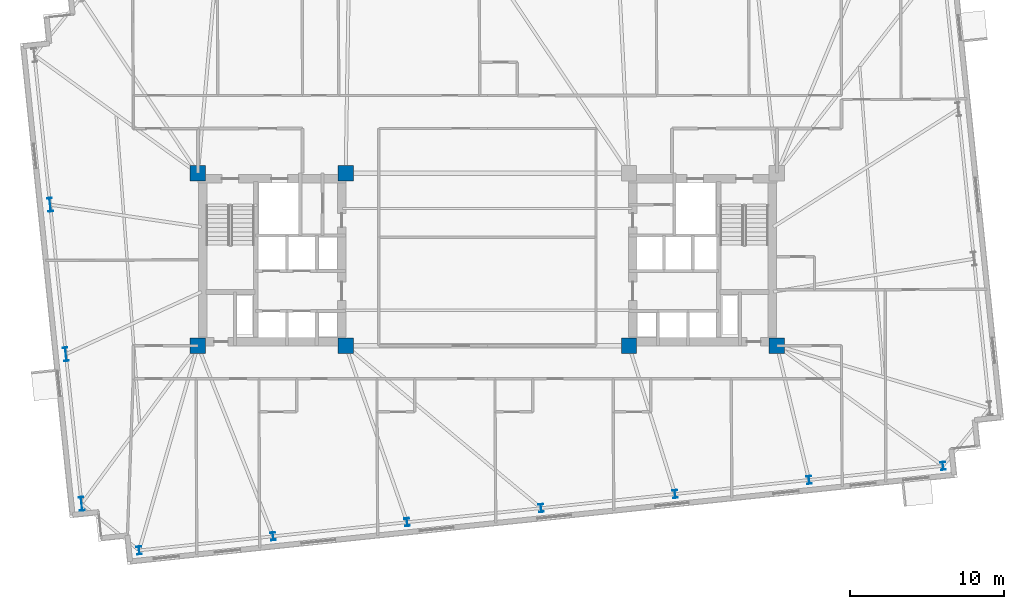
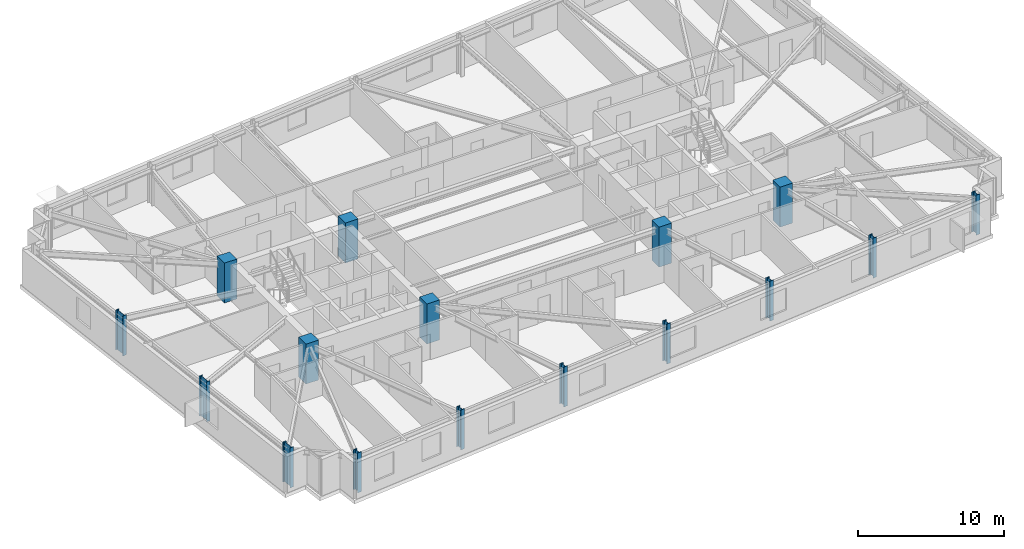
# One storey, part 1 of 18: 16 columns.
"""IFC4 building model written with IfcOpenShell, lengths in metres."""

from ifc_helpers import new_model, si_unit, direction, frame, origin, origin_2d, place, context, subcontext, project, spatial, rectangle, i_section, extrude, material, material_profile, profile_set, type_object, element, save


model = new_model("IFC4")

# Units and contexts
model_context = context("Model", 3, precision=1e-05, world=origin(), true_north=direction((0.0, 1.0)))
body_context = subcontext(model_context, "Body", "Model", "MODEL_VIEW")
ifc_project = project(units=[si_unit("LENGTHUNIT", "METRE"), si_unit("AREAUNIT", "SQUARE_METRE"), si_unit("VOLUMEUNIT", "CUBIC_METRE"), si_unit("PLANEANGLEUNIT", "RADIAN"), si_unit("MASSUNIT", "GRAM", prefix="KILO")], contexts=[model_context])

# Site, building, storey
site_placement = place(None, origin())
site = spatial("IfcSite", under=ifc_project, at=site_placement, CompositionType="ELEMENT")
building_placement = place(site_placement, origin())
building = spatial("IfcBuilding", under=site, at=building_placement, Name="Qobustan Lattice House", CompositionType="ELEMENT")
storey_placement = place(building_placement, frame((0.0, 0.0, 92.39990234375)))
storey = spatial("IfcBuildingStorey", under=building, at=storey_placement, Name="L25", CompositionType="ELEMENT", Elevation=92.39990234375)

# Columns
ifc_material_1 = material(Name="Concrete C60/75", Category="concrete")
ifc_material_profile_1 = material_profile(ifc_material_1, rectangle(XDim=1.0, YDim=1.0, at=origin_2d()), Name="RC1000x1000")
ifc_profile_set_1 = profile_set([ifc_material_profile_1], Name="Concrete C60/75")
column_type_1 = type_object("IfcColumnType", Name="COL-RC-1000", PredefinedType="COLUMN", material=ifc_profile_set_1)
for number, where, z_axis, x_axis, name in (
    (1, (-18.800048828125, -5.60009765625, 0.0), (0.0, 0.0, 1.0), (1.0, 0.0, 0.0), "L25 core mega-column CW-SW"),
    (2, (-18.800048828125, 5.60009765625, 0.0), (0.0, 0.0, 1.0), (1.0, 0.0, 0.0), "L25 core mega-column CW-NW"),
    (3, (-9.199951171875, -5.60009765625, 0.0), (0.0, 0.0, 1.0), (1.0, 0.0, 0.0), "L25 core mega-column CW-SE"),
    (4, (-9.199951171875, 5.60009765625, 0.0), (0.0, 0.0, 1.0), (1.0, 0.0, 0.0), "L25 core mega-column CW-NE"),
    (5, (9.199951171875, -5.60009765625, 0.0), (0.0, 0.0, 1.0), (1.0, 0.0, 0.0), "L25 core mega-column CE-SW"),
    (6, (18.800048828125, -5.60009765625, 0.0), (0.0, 0.0, 1.0), (1.0, 0.0, 0.0), "L25 core mega-column CE-SE"),
):
    element("IfcColumn", number, at=place(storey_placement, frame(where, z_axis=z_axis, x_axis=x_axis)), inside=storey, type_object=column_type_1, Name=name, PredefinedType="COLUMN", context=body_context, shape_type="SweptSolid", body=[
        extrude(rectangle(XDim=1.0, YDim=1.0, at=origin_2d()), origin(), (0.0, 0.0, 1.0), 3.35009765625),
    ])
ifc_material_2 = material(Name="Steel S355", Category="steel")
ifc_material_profile_2 = material_profile(ifc_material_2, i_section(OverallWidth=0.300048828125, OverallDepth=0.89990234375, WebThickness=0.0185546875, FlangeThickness=0.034912109375, FilletRadius=0.030029296875, at=origin_2d()), Name="HEB900")
ifc_profile_set_2 = profile_set([ifc_material_profile_2], Name="Steel S355")
column_type_2 = type_object("IfcColumnType", Name="COL-ST-HEB900", PredefinedType="COLUMN", material=ifc_profile_set_2)
for number, where, z_axis, x_axis, name in (
    (7, (-28.39794921875, 3.557373046875, 0.0), (0.0, 0.0, 1.0), (0.994521895368, 0.104528463268, 0.0), "L25 B2 perimeter column W2"),
    (8, (-27.377197265625, -6.156005859375, 0.0), (0.0, 0.0, 1.0), (0.994521895368, 0.104528463268, 0.0), "L25 B2 perimeter column W3"),
    (9, (-26.356201171875, -15.868896484375, 0.0), (0.0, 0.0, 1.0), (0.994521895368, 0.104528463268, 0.0), "L25 B2 perimeter column W4"),
):
    element("IfcColumn", number, at=place(storey_placement, frame(where, z_axis=z_axis, x_axis=x_axis)), inside=storey, type_object=column_type_2, Name=name, PredefinedType="COLUMN", context=body_context, shape_type="SweptSolid", body=[
        extrude(i_section(OverallWidth=0.300048828125, OverallDepth=0.89990234375, WebThickness=0.0185546875, FlangeThickness=0.034912109375, FilletRadius=0.030029296875, at=origin_2d()), origin(), (0.0, 0.0, 1.0), 3.35009765625),
    ])
ifc_material_3 = material(Name="Steel S355", Category="steel")
ifc_material_profile_3 = material_profile(ifc_material_3, i_section(OverallWidth=0.305908203125, OverallDepth=0.52392578125, WebThickness=0.02099609375, FlangeThickness=0.0400390625, FilletRadius=0.027099609375, at=origin_2d()), Name="HEM500")
ifc_profile_set_3 = profile_set([ifc_material_profile_3], Name="Steel S355")
column_type_3 = type_object("IfcColumnType", Name="COL-ST-HEM500", PredefinedType="COLUMN", material=ifc_profile_set_3)
for number, where, z_axis, x_axis, name in (
    (10, (-22.619384765625, -18.89501953125, 0.0), (0.0, 0.0, 1.0), (0.994521895368, 0.104528463268, 0.0), "L25 B2 perimeter column S1"),
    (11, (-13.91748046875, -17.98046875, 0.0), (0.0, 0.0, 1.0), (0.994521895368, 0.104528463268, 0.0), "L25 B2 perimeter column S2"),
    (12, (-5.21533203125, -17.065673828125, 0.0), (0.0, 0.0, 1.0), (0.994521895368, 0.104528463268, 0.0), "L25 B2 perimeter column S3"),
    (13, (3.48681640625, -16.151123046875, 0.0), (0.0, 0.0, 1.0), (0.994521895368, 0.104528463268, 0.0), "L25 B2 perimeter column S4"),
    (14, (12.188720703125, -15.236572265625, 0.0), (0.0, 0.0, 1.0), (0.994521895368, 0.104528463268, 0.0), "L25 B2 perimeter column S5"),
    (15, (20.890869140625, -14.322021484375, 0.0), (0.0, 0.0, 1.0), (0.994521895368, 0.104528463268, 0.0), "L25 B2 perimeter column S6"),
    (16, (29.593017578125, -13.4072265625, 0.0), (0.0, 0.0, 1.0), (0.994521895368, 0.104528463268, 0.0), "L25 B2 perimeter column S7"),
):
    element("IfcColumn", number, at=place(storey_placement, frame(where, z_axis=z_axis, x_axis=x_axis)), inside=storey, type_object=column_type_3, Name=name, PredefinedType="COLUMN", context=body_context, shape_type="SweptSolid", body=[
        extrude(i_section(OverallWidth=0.305908203125, OverallDepth=0.52392578125, WebThickness=0.02099609375, FlangeThickness=0.0400390625, FilletRadius=0.027099609375, at=origin_2d()), origin(), (0.0, 0.0, 1.0), 3.35009765625),
    ])

save(model, "model.ifc")
